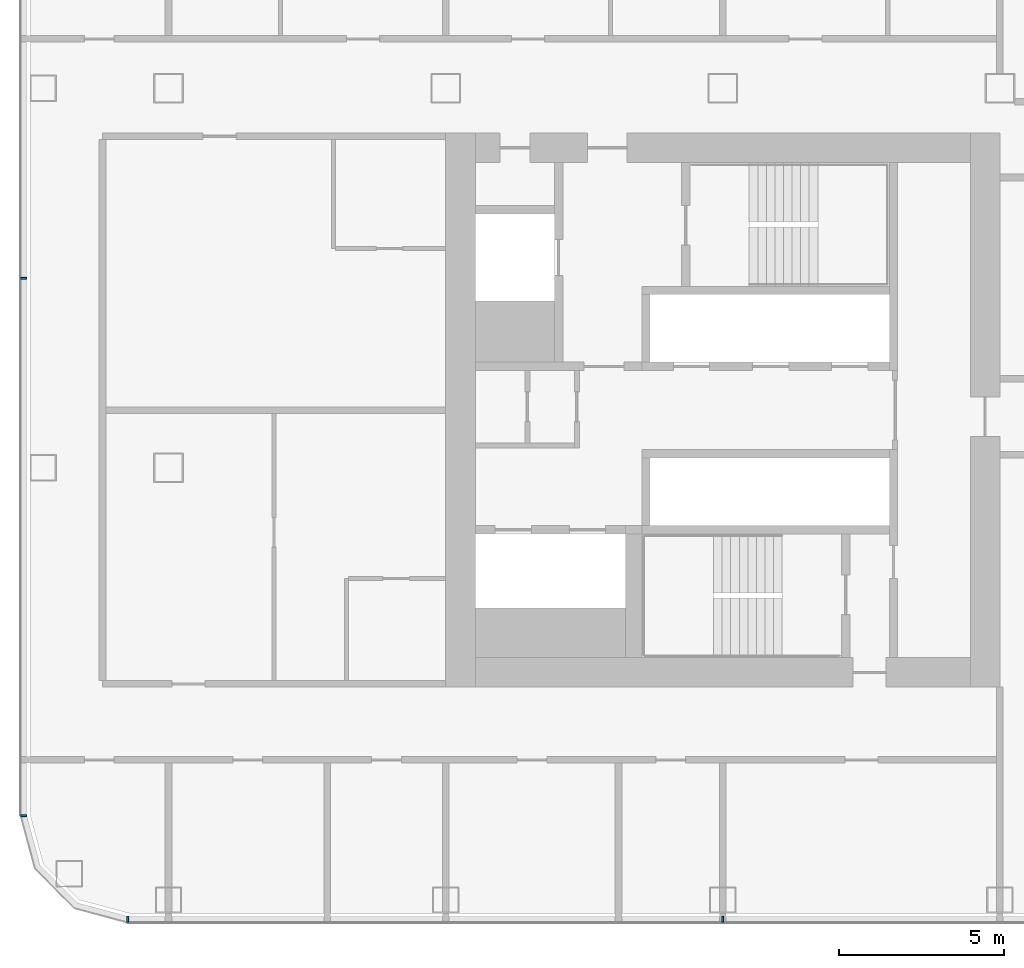
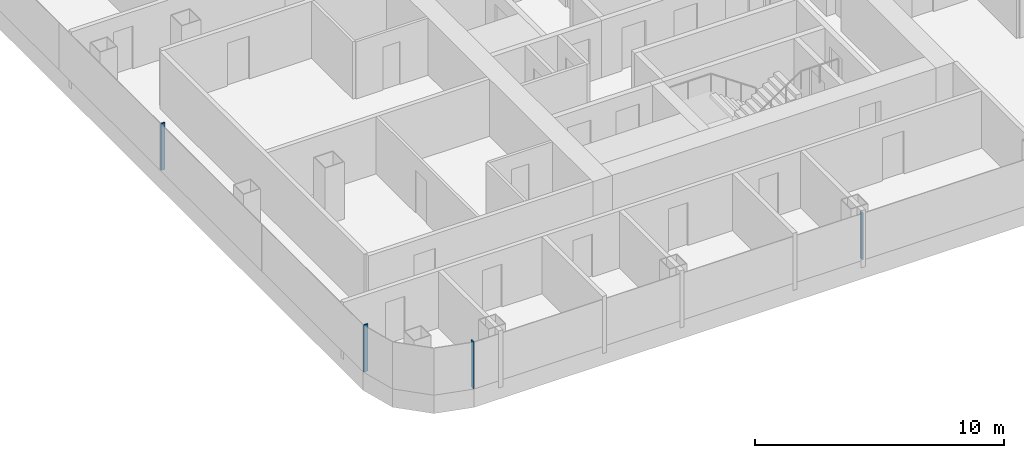
# One storey, part 2 of 29: 4 members, 2 elements without a shape of their own.
"""IFC4 building model written with IfcOpenShell, lengths in metres."""

import ifcopenshell
import ifcopenshell.guid

model = None  # the IFC model being written
_history = None  # IfcOwnerHistory: only IFC2X3 demands one
_inside = {}  # id of a spatial element -> (the spatial element, [elements in it])
_under = {}  # id of a project, library or spatial element -> (it, [spatial elements below it])
_declared = {}  # id of a project -> (the project, [libraries it declares])
_typed = {}  # id of a type object -> (the type object, [elements of that type])
_made_of = {}  # id of a material, layer set ... -> (it, [elements and type objects made of it])


def new_model(schema):
    """Start an empty IFC model of exactly this schema.

    Asked for "IFC4X3", IfcOpenShell would pick the latest addendum, in which some entities
    have other attributes; the version numbers below select the first issue.
    IFC2X3 requires an IfcOwnerHistory on every rooted entity: one is made here for all.
    """
    global model, _history
    if schema == "IFC4X3":
        model = ifcopenshell.file(schema_version=(4, 3, 0, 0))
    else:
        model = ifcopenshell.file(schema=schema)
    _inside.clear()
    _under.clear()
    _declared.clear()
    _typed.clear()
    _made_of.clear()
    _history = None
    if model.schema == "IFC2X3":
        org = make("IfcOrganization", Name="unknown")
        user = make(
            "IfcPersonAndOrganization",
            ThePerson=make("IfcPerson", FamilyName="unknown"),
            TheOrganization=org,
        )
        app = make(
            "IfcApplication",
            ApplicationDeveloper=org,
            Version="unknown",
            ApplicationFullName="unknown",
            ApplicationIdentifier="unknown",
        )
        _history = make(
            "IfcOwnerHistory",
            OwningUser=user,
            OwningApplication=app,
            ChangeAction="ADDED",
            CreationDate=0,
        )
    return model


def make(cls, **values):
    """One entity of the class cls with the attributes given. An attribute that is None is left unset."""
    return model.create_entity(
        cls, **{name: value for name, value in values.items() if value is not None}
    )


def rooted(cls, **values):
    """An entity with a GlobalId (a new one), such as an element, a storey or a relation."""
    return make(cls, GlobalId=ifcopenshell.guid.new(), OwnerHistory=_history, **values)


def si_unit(unit_type, name, prefix=None):
    """IfcSIUnit, for example si_unit("LENGTHUNIT", "METRE", prefix="MILLI")."""
    return make("IfcSIUnit", UnitType=unit_type, Prefix=prefix, Name=name)


def assignment(units):
    """IfcUnitAssignment: the units of a project."""
    return None if units is None else make("IfcUnitAssignment", Units=units)


def point(xyz):
    """IfcCartesianPoint."""
    return None if xyz is None else make("IfcCartesianPoint", Coordinates=xyz)


def direction(xyz):
    """IfcDirection."""
    return None if xyz is None else make("IfcDirection", DirectionRatios=xyz)


def frame(location, z_axis=None, x_axis=None):
    """IfcAxis2Placement3D, a coordinate frame: its origin and axes. An axis left out is left unset."""
    return make(
        "IfcAxis2Placement3D",
        Location=point(location),
        Axis=direction(z_axis),
        RefDirection=direction(x_axis),
    )


def frame_2d(location, x_axis=None):
    """IfcAxis2Placement2D, a coordinate frame in the plane: its origin and x axis."""
    return make(
        "IfcAxis2Placement2D", Location=point(location), RefDirection=direction(x_axis)
    )


def origin():
    """The frame at (0, 0, 0) with its axes left unset."""
    return frame((0.0, 0.0, 0.0))


def origin_2d():
    """The frame at (0, 0) in the plane with its x axis left unset."""
    return frame_2d((0.0, 0.0))


def place(relative_to, where):
    """IfcLocalPlacement: puts the frame where relative to a parent placement (None: the world)."""
    return make(
        "IfcLocalPlacement", PlacementRelTo=relative_to, RelativePlacement=where
    )


def context(
    kind, dimensions, precision=None, world=None, true_north=None, identifier=None
):
    """IfcGeometricRepresentationContext, for example the 3D "Model" context."""
    return make(
        "IfcGeometricRepresentationContext",
        ContextIdentifier=identifier,
        ContextType=kind,
        CoordinateSpaceDimension=dimensions,
        Precision=precision,
        WorldCoordinateSystem=world,
        TrueNorth=true_north,
    )


def subcontext(parent, identifier, kind, view, scale=None):
    """IfcGeometricRepresentationSubContext, for example "Body" below "Model"."""
    return make(
        "IfcGeometricRepresentationSubContext",
        ContextIdentifier=identifier,
        ContextType=kind,
        ParentContext=parent,
        TargetScale=scale,
        TargetView=view,
    )


def project(units=None, contexts=None):
    """IfcProject with its units and contexts."""
    return rooted(
        "IfcProject",
        Name="project",
        RepresentationContexts=contexts,
        UnitsInContext=assignment(units),
    )


def spatial(cls, under=None, at=None, **own):
    """A site, building, storey or space (cls), placed at a placement, below another one or the project."""
    s = rooted(cls, ObjectPlacement=at, **own)
    if under is not None:
        _under.setdefault(under.id(), (under, []))[1].append(s)
    return s


def profile(cls, at=None, kind="AREA", **sizes):
    """A parametric profile (cls). Its sizes go by their IFC names, for example OverallWidth=200.0."""
    return make(cls, ProfileType=kind, Position=at, **sizes)


def rectangle(**sizes):
    """IfcRectangleProfileDef."""
    return profile("IfcRectangleProfileDef", **sizes)


def extrude(swept, where, along, depth):
    """IfcExtrudedAreaSolid: the profile swept, set in the frame where, extruded along a direction by depth."""
    return make(
        "IfcExtrudedAreaSolid",
        SweptArea=swept,
        Position=where,
        ExtrudedDirection=direction(along),
        Depth=depth,
    )


def shape(context_of_items, identifier, shape_type, items):
    """IfcShapeRepresentation: the items that make up one representation, for example the "Body"."""
    return make(
        "IfcShapeRepresentation",
        ContextOfItems=context_of_items,
        RepresentationIdentifier=identifier,
        RepresentationType=shape_type,
        Items=items,
    )


def material(Name=None, Category=None):
    """IfcMaterial."""
    return make("IfcMaterial", Name=Name, Category=Category)


def layer(
    of_material, thickness, ventilated=None, Name=None, Category=None, Priority=None
):
    """IfcMaterialLayer: one layer of a wall or slab, of a material (None: an air gap)."""
    return make(
        "IfcMaterialLayer",
        Material=of_material,
        LayerThickness=thickness,
        IsVentilated=ventilated,
        Name=Name,
        Category=Category,
        Priority=Priority,
    )


def layer_set(layers, Name=None):
    """IfcMaterialLayerSet."""
    return make("IfcMaterialLayerSet", MaterialLayers=layers, LayerSetName=Name)


def material_profile(
    of_material, cross_section, Name=None, Category=None, Priority=None
):
    """IfcMaterialProfile: a cross section and its material."""
    return make(
        "IfcMaterialProfile",
        Name=Name,
        Material=of_material,
        Profile=cross_section,
        Priority=Priority,
        Category=Category,
    )


def profile_set(profiles, Name=None, composite=None):
    """IfcMaterialProfileSet."""
    return make(
        "IfcMaterialProfileSet",
        Name=Name,
        MaterialProfiles=profiles,
        CompositeProfile=composite,
    )


def made_of(thing, what):
    """Note that an element or type object is made of a material, layer set ...; save() writes the relation."""
    if what is not None:
        _made_of.setdefault(what.id(), (what, []))[1].append(thing)
    return thing


def type_object(cls, material=None, **own):
    """A type object (cls), such as IfcWallType, which elements share."""
    return made_of(rooted(cls, **own), material)


def element(
    cls,
    number,
    at=None,
    inside=None,
    cuts=None,
    type_object=None,
    material=None,
    context=None,
    identifier="Body",
    shape_type=None,
    held_by="IfcProductDefinitionShape",
    body=None,
    shapes=None,
    **own,
):
    """One element of the class cls, such as IfcWall. Its Tag is "e" and its number.

    at: its placement. inside: the storey or other place that contains it. cuts: it is an
    opening in that element (IfcRelVoidsElement). A single representation is given by context,
    identifier, shape_type and body (its items); several are given by shapes. held_by: the class
    of the entity that holds the representations. save() writes the other relations.
    """
    e = rooted(cls, Tag="e%d" % number, ObjectPlacement=at, **own)
    if body is not None:
        shapes = [shape(context, identifier, shape_type, body)]
    if shapes is not None:
        e.Representation = make(held_by, Representations=shapes)
    if inside is not None:
        _inside.setdefault(inside.id(), (inside, []))[1].append(e)
    if cuts is not None:
        rooted(
            "IfcRelVoidsElement", RelatingBuildingElement=cuts, RelatedOpeningElement=e
        )
    if type_object is not None:
        _typed.setdefault(type_object.id(), (type_object, []))[1].append(e)
    return made_of(e, material)


def aggregate(whole, parts):
    """IfcRelAggregates: a whole, such as a stair, and the parts it consists of."""
    return rooted("IfcRelAggregates", RelatingObject=whole, RelatedObjects=parts)


def save(model, path):
    """Write the relations noted so far, then the file.

    IfcRelAggregates (storeys below a building ...), IfcRelContainedInSpatialStructure (elements
    in a storey), IfcRelDefinesByType, IfcRelAssociatesMaterial and IfcRelDeclares: one each for
    every whole, place, type object, material and project.
    """
    for whole, parts in _under.values():
        aggregate(whole, parts)
    for where, things in _inside.values():
        rooted(
            "IfcRelContainedInSpatialStructure",
            RelatedElements=things,
            RelatingStructure=where,
        )
    for kind, things in _typed.values():
        rooted("IfcRelDefinesByType", RelatedObjects=things, RelatingType=kind)
    for what, things in _made_of.values():
        rooted("IfcRelAssociatesMaterial", RelatedObjects=things, RelatingMaterial=what)
    for by, libraries in _declared.values():
        rooted("IfcRelDeclares", RelatingContext=by, RelatedDefinitions=libraries)
    model.write(path)


model = new_model("IFC4")

# Units and contexts
model_context = context("Model", 3, precision=1e-05, world=origin(), true_north=direction((0.0, 1.0)))
body_context = subcontext(model_context, "Body", "Model", "MODEL_VIEW")
ifc_project = project(units=[si_unit("LENGTHUNIT", "METRE"), si_unit("AREAUNIT", "SQUARE_METRE"), si_unit("VOLUMEUNIT", "CUBIC_METRE"), si_unit("PLANEANGLEUNIT", "RADIAN"), si_unit("MASSUNIT", "GRAM", prefix="KILO")], contexts=[model_context])

# Site, building, storey
site_placement = place(None, origin())
site = spatial("IfcSite", under=ifc_project, at=site_placement, CompositionType="ELEMENT")
building_placement = place(site_placement, origin())
building = spatial("IfcBuilding", under=site, at=building_placement, Name="Hakoniwa Tower and Hamabe Station Hall", CompositionType="ELEMENT")
storey_placement = place(building_placement, frame((0.0, 0.0, 91.39990234375)))
storey = spatial("IfcBuildingStorey", under=building, at=storey_placement, Name="L25", CompositionType="ELEMENT", Elevation=91.39990234375)

# Curtain wall, members
ifc_material_1 = material(Name="Dark low-e laminated glass", Category="glass")
ifc_layer = layer(ifc_material_1, 0.199951171875)
ifc_layer_set = layer_set([ifc_layer], Name="CW-1 UNITISED GUEST")
curtain_wall_type = type_object("IfcCurtainWallType", Name="CW-1 UNITISED GUEST", PredefinedType="NOTDEFINED", material=ifc_layer_set)
curtain_wall_1_placement = place(storey_placement, origin())
curtain_wall_1 = element("IfcCurtainWall", 1, at=curtain_wall_1_placement, inside=storey, type_object=curtain_wall_type, Name="CW-1 curtain wall", PredefinedType="NOTDEFINED")
ifc_material_2 = material(Name="Aluminium 6063-T5 black anodised", Category="aluminium")
ifc_material_profile = material_profile(ifc_material_2, rectangle(XDim=0.06005859375, YDim=0.179931640625, at=origin_2d()), Name="CW-1 MULLION 60X180")
ifc_profile_set = profile_set([ifc_material_profile], Name="Aluminium 6063-T5 black anodised")
member_type = type_object("IfcMemberType", Name="CW-1 MULLION 60X180", PredefinedType="MULLION", material=ifc_profile_set)
member_1_placement = place(storey_placement, frame((-46.382080078125, 4.0, 0.35009765625), z_axis=(0.0, 0.0, 1.0), x_axis=(0.0, -1.0, 0.0)))
member_1 = element("IfcMember", 2, at=member_1_placement, type_object=member_type, Name="CW-1 mullion", PredefinedType="MULLION", context=body_context, shape_type="SweptSolid", body=[
    extrude(rectangle(XDim=0.06005859375, YDim=0.179931640625, at=origin_2d()), origin(), (0.0, 0.0, 1.0), 2.300048828125),
])
member_2_placement = place(storey_placement, frame((-46.382080078125, -12.28955078125, 0.35009765625), z_axis=(0.0, 0.0, 1.0), x_axis=(0.0, -1.0, 0.0)))
member_2 = element("IfcMember", 3, at=member_2_placement, type_object=member_type, Name="CW-1 mullion", PredefinedType="MULLION", context=body_context, shape_type="SweptSolid", body=[
    extrude(rectangle(XDim=0.06005859375, YDim=0.179931640625, at=origin_2d()), origin(), (0.0, 0.0, 1.0), 2.300048828125),
])
aggregate(curtain_wall_1, [member_1, member_2])

curtain_wall_2_placement = place(storey_placement, origin())
curtain_wall_2 = element("IfcCurtainWall", 4, at=curtain_wall_2_placement, inside=storey, type_object=curtain_wall_type, Name="CW-1 curtain wall", PredefinedType="NOTDEFINED")
member_3_placement = place(storey_placement, frame((-43.239501953125, -15.431884765625, 0.35009765625), z_axis=(0.0, 0.0, 1.0), x_axis=(1.0, 0.0, 0.0)))
member_3 = element("IfcMember", 5, at=member_3_placement, type_object=member_type, Name="CW-1 mullion", PredefinedType="MULLION", context=body_context, shape_type="SweptSolid", body=[
    extrude(rectangle(XDim=0.06005859375, YDim=0.179931640625, at=origin_2d()), origin(), (0.0, 0.0, 1.0), 2.300048828125),
])
member_4_placement = place(storey_placement, frame((-25.199951171875, -15.431884765625, 0.35009765625), z_axis=(0.0, 0.0, 1.0), x_axis=(1.0, 0.0, 0.0)))
member_4 = element("IfcMember", 6, at=member_4_placement, type_object=member_type, Name="CW-1 mullion", PredefinedType="MULLION", context=body_context, shape_type="SweptSolid", body=[
    extrude(rectangle(XDim=0.06005859375, YDim=0.179931640625, at=origin_2d()), origin(), (0.0, 0.0, 1.0), 2.300048828125),
])
aggregate(curtain_wall_2, [member_3, member_4])

save(model, "model.ifc")
